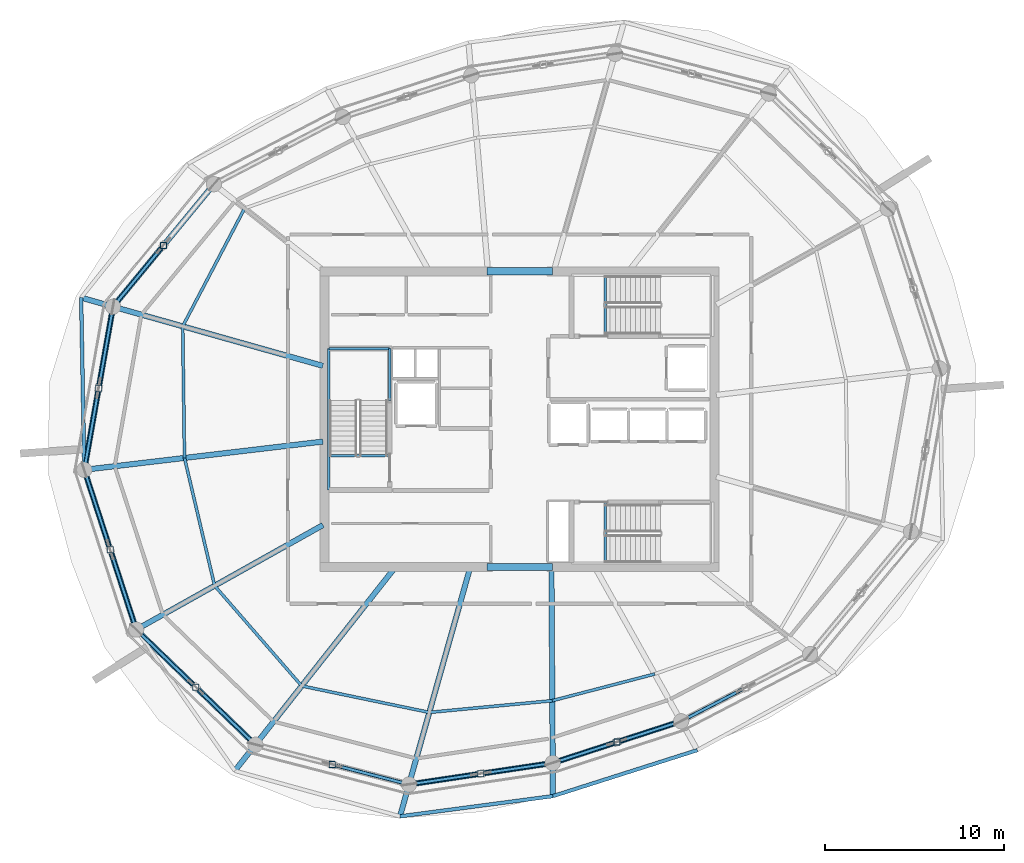
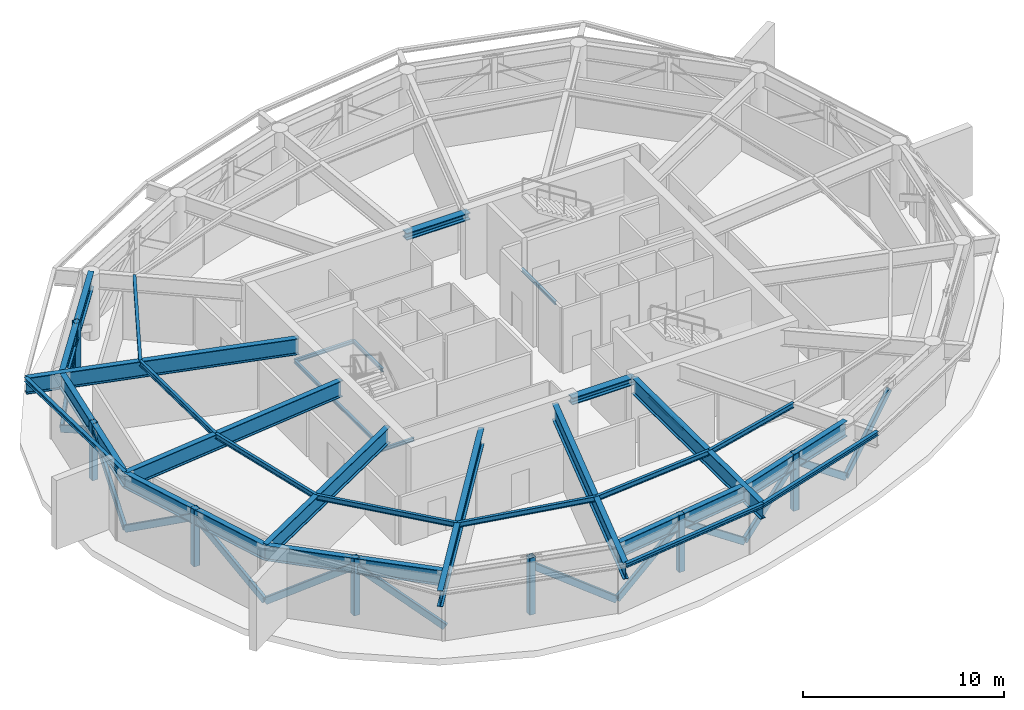
# One storey, part 5 of 14: 30 beams, 20 members.
"""IFC4 building model written with IfcOpenShell, lengths in metres."""

from ifc_helpers import new_model, si_unit, direction, frame, origin, origin_2d, place, context, subcontext, project, spatial, hollow_rectangle, i_section, extrude, material, material_profile, profile_set, type_object, element, save


model = new_model("IFC4")

# Units and contexts
model_context = context("Model", 3, precision=1e-05, world=origin(), true_north=direction((0.0, 1.0)))
body_context = subcontext(model_context, "Body", "Model", "MODEL_VIEW")
ifc_project = project(units=[si_unit("LENGTHUNIT", "METRE"), si_unit("AREAUNIT", "SQUARE_METRE"), si_unit("VOLUMEUNIT", "CUBIC_METRE"), si_unit("PLANEANGLEUNIT", "RADIAN"), si_unit("MASSUNIT", "GRAM", prefix="KILO")], contexts=[model_context])

# Site, building, storey
site_placement = place(None, origin())
site = spatial("IfcSite", under=ifc_project, at=site_placement, CompositionType="ELEMENT")
building_placement = place(site_placement, origin())
building = spatial("IfcBuilding", under=site, at=building_placement, Name="Kazma Halo Residences", CompositionType="ELEMENT")
storey_placement = place(building_placement, frame((0.0, 0.0, 343.10009765625)))
storey = spatial("IfcBuildingStorey", under=building, at=storey_placement, Name="L86", CompositionType="ELEMENT", Elevation=343.10009765625)

# Beams
ifc_material = material(Name="Steel S355", Category="steel")
ifc_material_profile_1 = material_profile(ifc_material, i_section(OverallWidth=0.201904296875, OverallDepth=0.2470703125, WebThickness=0.00732421875, FlangeThickness=0.010986328125, FilletRadius=0.011962890625, at=origin_2d()), Name="W250x49.1")
ifc_profile_set_1 = profile_set([ifc_material_profile_1], Name="Steel S355")
beam_type_1 = type_object("IfcBeamType", Name="BM-BAL-CANT", PredefinedType="BEAM", material=ifc_profile_set_1)
beam_1_placement = place(storey_placement, frame((23.9638671875, 48.77880859375, 3.81640625), z_axis=(0.018301708623, -0.999832509704, 0.0), x_axis=(0.999832509704, 0.018301708623, 0.0)))
element("IfcBeam", 1, at=beam_1_placement, inside=storey, type_object=beam_type_1, Name="L86 wave-balcony tie beam 07", PredefinedType="BEAM", context=body_context, shape_type="SweptSolid", body=[
    extrude(i_section(OverallWidth=0.201904296875, OverallDepth=0.2470703125, WebThickness=0.00732421875, FlangeThickness=0.010986328125, FilletRadius=0.011962890625, at=origin_2d()), origin(), (0.0, 0.0, 1.0), 9.604736328125),
])
beam_2_placement = place(storey_placement, frame((41.751220703125, 19.843017578125, 3.81640625), z_axis=(0.991375702229, 0.13105043697, 0.0), x_axis=(-0.13105043697, 0.991375702229, 0.0)))
element("IfcBeam", 2, at=beam_2_placement, inside=storey, type_object=beam_type_1, Name="L86 wave-balcony tie beam 11", PredefinedType="BEAM", context=body_context, shape_type="SweptSolid", body=[
    extrude(i_section(OverallWidth=0.201904296875, OverallDepth=0.2470703125, WebThickness=0.00732421875, FlangeThickness=0.010986328125, FilletRadius=0.011962890625, at=origin_2d()), origin(), (0.0, 0.0, 1.0), 8.60498046875),
])
beam_3_placement = place(storey_placement, frame((50.281982421875, 20.970703125, 3.81640625), z_axis=(0.952916301187, 0.303233446262, 0.0), x_axis=(-0.303233446262, 0.952916301187, 0.0)))
element("IfcBeam", 3, at=beam_3_placement, inside=storey, type_object=beam_type_1, Name="L86 wave-balcony tie beam 12", PredefinedType="BEAM", context=body_context, shape_type="SweptSolid", body=[
    extrude(i_section(OverallWidth=0.201904296875, OverallDepth=0.2470703125, WebThickness=0.00732421875, FlangeThickness=0.010986328125, FilletRadius=0.011962890625, at=origin_2d()), origin(), (0.0, 0.0, 1.0), 8.45703125),
])
ifc_material_profile_2 = material_profile(ifc_material, i_section(OverallWidth=0.30908203125, OverallDepth=0.931884765625, WebThickness=0.02099609375, FlangeThickness=0.034423828125, FilletRadius=0.02392578125, at=origin_2d()), Name="W920x313")
ifc_profile_set_2 = profile_set([ifc_material_profile_2], Name="Steel S355")
beam_type_2 = type_object("IfcBeamType", Name="BM-BELT-W920A", PredefinedType="BEAM", material=ifc_profile_set_2)
beam_4_placement = place(storey_placement, frame((31.373779296875, 55.10693359375, 3.473876953125), z_axis=(-0.636004986424, -0.771684946881, 0.0), x_axis=(0.771684946881, -0.636004986424, 0.0)))
element("IfcBeam", 4, at=beam_4_placement, inside=storey, type_object=beam_type_2, Name="L86 perimeter ring beam 06", PredefinedType="BEAM", context=body_context, shape_type="SweptSolid", body=[
    extrude(i_section(OverallWidth=0.30908203125, OverallDepth=0.931884765625, WebThickness=0.02099609375, FlangeThickness=0.034423828125, FilletRadius=0.02392578125, at=origin_2d()), origin(), (0.0, 0.0, 1.0), 8.85107421875),
])
beam_5_placement = place(storey_placement, frame((25.744384765625, 48.276611328125, 3.473876953125), z_axis=(-0.173649692956, -0.984807485825, 0.0), x_axis=(0.984807485825, -0.173649692956, 0.0)))
element("IfcBeam", 5, at=beam_5_placement, inside=storey, type_object=beam_type_2, Name="L86 perimeter ring beam 07", PredefinedType="BEAM", context=body_context, shape_type="SweptSolid", body=[
    extrude(i_section(OverallWidth=0.30908203125, OverallDepth=0.931884765625, WebThickness=0.02099609375, FlangeThickness=0.034423828125, FilletRadius=0.02392578125, at=origin_2d()), origin(), (0.0, 0.0, 1.0), 9.2412109375),
])
beam_6_placement = place(storey_placement, frame((24.1396484375, 39.17578125, 3.473876953125), z_axis=(0.309023062674, -0.951054544564, 0.0), x_axis=(0.951054544564, 0.309023062674, 0.0)))
element("IfcBeam", 6, at=beam_6_placement, inside=storey, type_object=beam_type_2, Name="L86 perimeter ring beam 08", PredefinedType="BEAM", context=body_context, shape_type="SweptSolid", body=[
    extrude(i_section(OverallWidth=0.30908203125, OverallDepth=0.931884765625, WebThickness=0.02099609375, FlangeThickness=0.034423828125, FilletRadius=0.02392578125, at=origin_2d()), origin(), (0.0, 0.0, 1.0), 9.37451171875),
])
beam_7_placement = place(storey_placement, frame((27.03662109375, 30.260009765625, 3.473876953125), z_axis=(0.71933681628, -0.694661460529, 0.0), x_axis=(0.694661460529, 0.71933681628, 0.0)))
element("IfcBeam", 7, at=beam_7_placement, inside=storey, type_object=beam_type_2, Name="L86 perimeter ring beam 09", PredefinedType="BEAM", context=body_context, shape_type="SweptSolid", body=[
    extrude(i_section(OverallWidth=0.30908203125, OverallDepth=0.931884765625, WebThickness=0.02099609375, FlangeThickness=0.034423828125, FilletRadius=0.02392578125, at=origin_2d()), origin(), (0.0, 0.0, 1.0), 9.2412109375),
])
beam_8_placement = place(storey_placement, frame((42.25341796875, 21.62353515625, 3.473876953125), z_axis=(0.989030710595, 0.147710031817, 0.0), x_axis=(-0.147710031817, 0.989030710595, 0.0)))
element("IfcBeam", 8, at=beam_8_placement, inside=storey, type_object=beam_type_2, Name="L86 perimeter ring beam 11", PredefinedType="BEAM", context=body_context, shape_type="SweptSolid", body=[
    extrude(i_section(OverallWidth=0.30908203125, OverallDepth=0.931884765625, WebThickness=0.02099609375, FlangeThickness=0.034423828125, FilletRadius=0.02392578125, at=origin_2d()), origin(), (0.0, 0.0, 1.0), 8.10546875),
])
beam_9_placement = place(storey_placement, frame((50.27001953125, 22.82080078125, 3.473876953125), z_axis=(0.951056684666, 0.309016476183, 0.0), x_axis=(-0.309016476183, 0.951056684666, 0.0)))
element("IfcBeam", 9, at=beam_9_placement, inside=storey, type_object=beam_type_2, Name="L86 perimeter ring beam 12", PredefinedType="BEAM", context=body_context, shape_type="SweptSolid", body=[
    extrude(i_section(OverallWidth=0.30908203125, OverallDepth=0.931884765625, WebThickness=0.02099609375, FlangeThickness=0.034423828125, FilletRadius=0.02392578125, at=origin_2d()), origin(), (0.0, 0.0, 1.0), 7.53564453125),
])
ifc_material_profile_3 = material_profile(ifc_material, i_section(OverallWidth=0.408935546875, OverallDepth=0.425048828125, WebThickness=0.03271484375, FlangeThickness=0.052490234375, FilletRadius=0.02001953125, at=origin_2d()), Name="W360x421")
ifc_profile_set_3 = profile_set([ifc_material_profile_3], Name="Steel S355")
beam_type_3 = type_object("IfcBeamType", Name="BM-CORE-W360H", PredefinedType="BEAM", material=ifc_profile_set_3)
for number, where, z_axis, x_axis, name in (
    (10, (46.60009765625, 33.75, 3.727294921875), (1.0, 0.0, 0.0), (0.0, 1.0, 0.0), "L86 core coupling beam S"),
    (11, (46.60009765625, 50.25, 3.727294921875), (1.0, 0.0, 0.0), (0.0, 1.0, 0.0), "L86 core coupling beam N"),
):
    element("IfcBeam", number, at=place(storey_placement, frame(where, z_axis=z_axis, x_axis=x_axis)), inside=storey, type_object=beam_type_3, Name=name, PredefinedType="BEAM", context=body_context, shape_type="SweptSolid", body=[
        extrude(i_section(OverallWidth=0.408935546875, OverallDepth=0.425048828125, WebThickness=0.03271484375, FlangeThickness=0.052490234375, FilletRadius=0.02001953125, at=origin_2d()), origin(), (0.0, 0.0, 1.0), 3.64990234375),
    ])
ifc_material_profile_4 = material_profile(ifc_material, i_section(OverallWidth=0.300048828125, OverallDepth=0.98193359375, WebThickness=0.0166015625, FlangeThickness=0.032958984375, FilletRadius=0.02587890625, at=origin_2d()), Name="W1000x296")
ifc_profile_set_4 = profile_set([ifc_material_profile_4], Name="Steel S355")
beam_type_4 = type_object("IfcBeamType", Name="BM-OUTR-W1000C", PredefinedType="BEAM", material=ifc_profile_set_4)
beam_10_placement = place(storey_placement, frame((37.449951171875, 44.975341796875, 3.448974609375), z_axis=(-0.962455278458, 0.27144030093, 0.0), x_axis=(-0.27144030093, -0.962455278458, 0.0)))
element("IfcBeam", 12, at=beam_10_placement, inside=storey, type_object=beam_type_4, Name="L86 radial floor beam 07", PredefinedType="BEAM", context=body_context, shape_type="SweptSolid", body=[
    extrude(i_section(OverallWidth=0.300048828125, OverallDepth=0.98193359375, WebThickness=0.0166015625, FlangeThickness=0.032958984375, FilletRadius=0.02587890625, at=origin_2d()), origin(), (0.0, 0.0, 1.0), 14.01220703125),
])
beam_11_placement = place(storey_placement, frame((37.449951171875, 40.751220703125, 3.448974609375), z_axis=(-0.993067923032, -0.11754190846, 0.0), x_axis=(0.11754190846, -0.993067923032, 0.0)))
element("IfcBeam", 13, at=beam_11_placement, inside=storey, type_object=beam_type_4, Name="L86 radial floor beam 08", PredefinedType="BEAM", context=body_context, shape_type="SweptSolid", body=[
    extrude(i_section(OverallWidth=0.300048828125, OverallDepth=0.98193359375, WebThickness=0.0166015625, FlangeThickness=0.032958984375, FilletRadius=0.02587890625, at=origin_2d()), origin(), (0.0, 0.0, 1.0), 13.4033203125),
])
beam_12_placement = place(storey_placement, frame((37.449951171875, 36.091796875, 3.448974609375), z_axis=(-0.872494504737, -0.4886239241, 0.0), x_axis=(0.4886239241, -0.872494504737, 0.0)))
element("IfcBeam", 14, at=beam_12_placement, inside=storey, type_object=beam_type_4, Name="L86 radial floor beam 09", PredefinedType="BEAM", context=body_context, shape_type="SweptSolid", body=[
    extrude(i_section(OverallWidth=0.300048828125, OverallDepth=0.98193359375, WebThickness=0.0166015625, FlangeThickness=0.032958984375, FilletRadius=0.02587890625, at=origin_2d()), origin(), (0.0, 0.0, 1.0), 11.93505859375),
])
beam_13_placement = place(storey_placement, frame((41.41748046875, 33.64990234375, 3.448974609375), z_axis=(-0.61910487104, -0.78530832076, 0.0), x_axis=(0.78530832076, -0.61910487104, 0.0)))
element("IfcBeam", 15, at=beam_13_placement, inside=storey, type_object=beam_type_4, Name="L86 radial floor beam 10", PredefinedType="BEAM", context=body_context, shape_type="SweptSolid", body=[
    extrude(i_section(OverallWidth=0.300048828125, OverallDepth=0.98193359375, WebThickness=0.0166015625, FlangeThickness=0.032958984375, FilletRadius=0.02587890625, at=origin_2d()), origin(), (0.0, 0.0, 1.0), 14.341064453125),
])
beam_14_placement = place(storey_placement, frame((45.64501953125, 33.64990234375, 3.448974609375), z_axis=(-0.271431061075, -0.962457884317, 0.0), x_axis=(0.962457884317, -0.271431061075, 0.0)))
element("IfcBeam", 16, at=beam_14_placement, inside=storey, type_object=beam_type_4, Name="L86 radial floor beam 11", PredefinedType="BEAM", context=body_context, shape_type="SweptSolid", body=[
    extrude(i_section(OverallWidth=0.300048828125, OverallDepth=0.98193359375, WebThickness=0.0166015625, FlangeThickness=0.032958984375, FilletRadius=0.02587890625, at=origin_2d()), origin(), (0.0, 0.0, 1.0), 14.345458984375),
])
beam_15_placement = place(storey_placement, frame((50.199951171875, 33.64990234375, 3.448974609375), z_axis=(0.006469614667, -0.999979071824, 0.0), x_axis=(0.999979071824, 0.006469614667, 0.0)))
element("IfcBeam", 17, at=beam_15_placement, inside=storey, type_object=beam_type_4, Name="L86 radial floor beam 12", PredefinedType="BEAM", context=body_context, shape_type="SweptSolid", body=[
    extrude(i_section(OverallWidth=0.300048828125, OverallDepth=0.98193359375, WebThickness=0.0166015625, FlangeThickness=0.032958984375, FilletRadius=0.02587890625, at=origin_2d()), origin(), (0.0, 0.0, 1.0), 12.679443359375),
])
ifc_material_profile_5 = material_profile(ifc_material, i_section(OverallWidth=0.1650390625, OverallDepth=0.31005859375, WebThickness=0.005859375, FlangeThickness=0.009765625, FilletRadius=0.011962890625, at=origin_2d()), Name="W310x38.7")
ifc_profile_set_5 = profile_set([ifc_material_profile_5], Name="Steel S355")
beam_type_5 = type_object("IfcBeamType", Name="BM-SEC-W310B", PredefinedType="JOIST", material=ifc_profile_set_5)
beam_16_placement = place(storey_placement, frame((33.083251953125, 53.759521484375, 3.784912109375), z_axis=(-0.464998741676, -0.885311340851, 0.0), x_axis=(0.885311340851, -0.464998741676, 0.0)))
element("IfcBeam", 18, at=beam_16_placement, inside=storey, type_object=beam_type_5, Name="L86 circumferential floor joist 06", PredefinedType="JOIST", context=body_context, shape_type="SweptSolid", body=[
    extrude(i_section(OverallWidth=0.1650390625, OverallDepth=0.31005859375, WebThickness=0.005859375, FlangeThickness=0.009765625, FilletRadius=0.011962890625, at=origin_2d()), origin(), (0.0, 0.0, 1.0), 7.43017578125),
])
beam_17_placement = place(storey_placement, frame((29.628173828125, 47.181396484375, 3.784912109375), z_axis=(0.013861699983, -0.999903922021, 0.0), x_axis=(0.999903922021, 0.013861699983, 0.0)))
element("IfcBeam", 19, at=beam_17_placement, inside=storey, type_object=beam_type_5, Name="L86 circumferential floor joist 07", PredefinedType="JOIST", context=body_context, shape_type="SweptSolid", body=[
    extrude(i_section(OverallWidth=0.1650390625, OverallDepth=0.31005859375, WebThickness=0.005859375, FlangeThickness=0.009765625, FilletRadius=0.011962890625, at=origin_2d()), origin(), (0.0, 0.0, 1.0), 7.344482421875),
])
beam_18_placement = place(storey_placement, frame((29.72998046875, 39.837646484375, 3.784912109375), z_axis=(0.229446221817, -0.973321340203, 0.0), x_axis=(0.973321340203, 0.229446221817, 0.0)))
element("IfcBeam", 20, at=beam_18_placement, inside=storey, type_object=beam_type_5, Name="L86 circumferential floor joist 08", PredefinedType="JOIST", context=body_context, shape_type="SweptSolid", body=[
    extrude(i_section(OverallWidth=0.1650390625, OverallDepth=0.31005859375, WebThickness=0.005859375, FlangeThickness=0.009765625, FilletRadius=0.011962890625, at=origin_2d()), origin(), (0.0, 0.0, 1.0), 7.32373046875),
])
beam_19_placement = place(storey_placement, frame((31.410400390625, 32.709228515625, 3.784912109375), z_axis=(0.655826094878, -0.754912003664, 0.0), x_axis=(0.754912003664, 0.655826094878, 0.0)))
element("IfcBeam", 21, at=beam_19_placement, inside=storey, type_object=beam_type_5, Name="L86 circumferential floor joist 09", PredefinedType="JOIST", context=body_context, shape_type="SweptSolid", body=[
    extrude(i_section(OverallWidth=0.1650390625, OverallDepth=0.31005859375, WebThickness=0.005859375, FlangeThickness=0.009765625, FilletRadius=0.011962890625, at=origin_2d()), origin(), (0.0, 0.0, 1.0), 7.406494140625),
])
beam_20_placement = place(storey_placement, frame((36.267822265625, 27.117919921875, 3.784912109375), z_axis=(0.979179702308, -0.202995346221, 0.0), x_axis=(0.202995346221, 0.979179702308, 0.0)))
element("IfcBeam", 22, at=beam_20_placement, inside=storey, type_object=beam_type_5, Name="L86 circumferential floor joist 10", PredefinedType="JOIST", context=body_context, shape_type="SweptSolid", body=[
    extrude(i_section(OverallWidth=0.1650390625, OverallDepth=0.31005859375, WebThickness=0.005859375, FlangeThickness=0.009765625, FilletRadius=0.011962890625, at=origin_2d()), origin(), (0.0, 0.0, 1.0), 7.270263671875),
])
beam_21_placement = place(storey_placement, frame((43.38671875, 25.64208984375, 3.784912109375), z_axis=(0.99549005784, 0.094865930357, 0.0), x_axis=(-0.094865930357, 0.99549005784, 0.0)))
element("IfcBeam", 23, at=beam_21_placement, inside=storey, type_object=beam_type_5, Name="L86 circumferential floor joist 11", PredefinedType="JOIST", context=body_context, shape_type="SweptSolid", body=[
    extrude(i_section(OverallWidth=0.1650390625, OverallDepth=0.31005859375, WebThickness=0.005859375, FlangeThickness=0.009765625, FilletRadius=0.011962890625, at=origin_2d()), origin(), (0.0, 0.0, 1.0), 6.891845703125),
])
beam_22_placement = place(storey_placement, frame((50.24755859375, 26.2958984375, 3.784912109375), z_axis=(0.967744924062, 0.251932058206, 0.0), x_axis=(-0.251932058206, 0.967744924062, 0.0)))
element("IfcBeam", 24, at=beam_22_placement, inside=storey, type_object=beam_type_5, Name="L86 circumferential floor joist 12", PredefinedType="JOIST", context=body_context, shape_type="SweptSolid", body=[
    extrude(i_section(OverallWidth=0.1650390625, OverallDepth=0.31005859375, WebThickness=0.005859375, FlangeThickness=0.009765625, FilletRadius=0.011962890625, at=origin_2d()), origin(), (0.0, 0.0, 1.0), 5.904541015625),
])
ifc_material_profile_6 = material_profile(ifc_material, i_section(OverallWidth=0.133056640625, OverallDepth=0.20703125, WebThickness=0.005859375, FlangeThickness=0.00830078125, FilletRadius=0.010009765625, at=origin_2d()), Name="W200x26.6")
ifc_profile_set_6 = profile_set([ifc_material_profile_6], Name="Steel S355")
beam_type_6 = type_object("IfcBeamType", Name="BM-TRIM-W200", PredefinedType="BEAM", material=ifc_profile_set_6)
for number, where, z_axis, x_axis, name in (
    (25, (37.800048828125, 39.949951171875, -0.510009765625), (1.0, 0.0, 0.0), (0.0, 1.0, 0.0), "L86 ST-01 floor landing support beam"),
    (26, (53.199951171875, 46.6201171875, -0.510009765625), (0.0, 1.0, 0.0), (-1.0, 0.0, 0.0), "L86 ST-02 floor landing support beam"),
    (27, (53.199951171875, 34.0, -0.510009765625), (0.0, 1.0, 0.0), (-1.0, 0.0, 0.0), "L86 ST-03 floor landing support beam"),
):
    element("IfcBeam", number, at=place(storey_placement, frame(where, z_axis=z_axis, x_axis=x_axis)), inside=storey, type_object=beam_type_6, Name=name, PredefinedType="BEAM", context=body_context, shape_type="SweptSolid", body=[
        extrude(i_section(OverallWidth=0.133056640625, OverallDepth=0.20703125, WebThickness=0.005859375, FlangeThickness=0.00830078125, FilletRadius=0.010009765625, at=origin_2d()), origin(), (0.0, 0.0, 1.0), 3.3798828125),
    ])
beam_23_placement = place(storey_placement, frame((37.780029296875, 38.06005859375, 1.794921875), z_axis=(0.0, 1.0, 0.0), x_axis=(-1.0, 0.0, 0.0)))
element("IfcBeam", 28, at=beam_23_placement, inside=storey, type_object=beam_type_6, Name="L86 ST-01 landing west wall ledger", PredefinedType="BEAM", context=body_context, shape_type="SweptSolid", body=[
    extrude(i_section(OverallWidth=0.133056640625, OverallDepth=0.20703125, WebThickness=0.005859375, FlangeThickness=0.00830078125, FilletRadius=0.010009765625, at=origin_2d()), origin(), (0.0, 0.0, 1.0), 7.8798828125),
])
beam_24_placement = place(storey_placement, frame((41.179931640625, 43.030029296875, 1.794921875), z_axis=(0.0, 1.0, 0.0), x_axis=(-1.0, 0.0, 0.0)))
element("IfcBeam", 29, at=beam_24_placement, inside=storey, type_object=beam_type_6, Name="L86 ST-01 landing east wall ledger", PredefinedType="BEAM", context=body_context, shape_type="SweptSolid", body=[
    extrude(i_section(OverallWidth=0.133056640625, OverallDepth=0.20703125, WebThickness=0.005859375, FlangeThickness=0.00830078125, FilletRadius=0.010009765625, at=origin_2d()), origin(), (0.0, 0.0, 1.0), 2.909912109375),
])
beam_25_placement = place(storey_placement, frame((37.780029296875, 45.93994140625, 1.794921875), z_axis=(1.0, 0.0, 0.0), x_axis=(0.0, 1.0, 0.0)))
element("IfcBeam", 30, at=beam_25_placement, inside=storey, type_object=beam_type_6, Name="L86 ST-01 landing end wall ledger", PredefinedType="BEAM", context=body_context, shape_type="SweptSolid", body=[
    extrude(i_section(OverallWidth=0.133056640625, OverallDepth=0.20703125, WebThickness=0.005859375, FlangeThickness=0.00830078125, FilletRadius=0.010009765625, at=origin_2d()), origin(), (0.0, 0.0, 1.0), 3.39990234375),
])

# Members
ifc_material_profile_7 = material_profile(ifc_material, hollow_rectangle(XDim=0.199951171875, YDim=0.39990234375, WallThickness=0.01611328125, InnerFilletRadius=0.01611328125, OuterFilletRadius=0.031982421875, at=origin_2d()), Name="RHS400x200x16")
ifc_profile_set_7 = profile_set([ifc_material_profile_7], Name="Steel S355")
member_type_1 = type_object("IfcMemberType", Name="MBR-BELT-RHS400", PredefinedType="BRACE", material=ifc_profile_set_7)
member_1_placement = place(storey_placement, frame((25.744384765625, 48.276611328125, 0.47998046875), z_axis=(0.529757053744, 0.642793947855, 0.553329381662), x_axis=(-0.771696103846, 0.635991449084, 0.0)))
element("IfcMember", 31, at=member_1_placement, inside=storey, type_object=member_type_1, Name="L86 belt-truss chevron diagonal 06B", PredefinedType="BRACE", context=body_context, shape_type="SweptSolid", body=[
    extrude(hollow_rectangle(XDim=0.199951171875, YDim=0.39990234375, WallThickness=0.01611328125, InnerFilletRadius=0.01611328125, OuterFilletRadius=0.031982421875, at=origin_2d()), origin(), (0.0, 0.0, 1.0), 5.313232421875),
])
member_2_placement = place(storey_placement, frame((25.744384765625, 48.276611328125, 0.47998046875), z_axis=(-0.146488910827, -0.830876542906, 0.536828808331), x_axis=(0.98481120697, -0.173628588159, 0.0)))
element("IfcMember", 32, at=member_2_placement, inside=storey, type_object=member_type_1, Name="L86 belt-truss chevron diagonal 07A", PredefinedType="BRACE", context=body_context, shape_type="SweptSolid", body=[
    extrude(hollow_rectangle(XDim=0.199951171875, YDim=0.39990234375, WallThickness=0.01611328125, InnerFilletRadius=0.01611328125, OuterFilletRadius=0.031982421875, at=origin_2d()), origin(), (0.0, 0.0, 1.0), 5.4765625),
])
member_3_placement = place(storey_placement, frame((24.1396484375, 39.17578125, 0.47998046875), z_axis=(0.146527106096, 0.830884919541, 0.536805418805), x_axis=(-0.984803764455, 0.173670796382, 0.0)))
element("IfcMember", 33, at=member_3_placement, inside=storey, type_object=member_type_1, Name="L86 belt-truss chevron diagonal 07B", PredefinedType="BRACE", context=body_context, shape_type="SweptSolid", body=[
    extrude(hollow_rectangle(XDim=0.199951171875, YDim=0.39990234375, WallThickness=0.01611328125, InnerFilletRadius=0.01611328125, OuterFilletRadius=0.031982421875, at=origin_2d()), origin(), (0.0, 0.0, 1.0), 5.476806640625),
])
member_4_placement = place(storey_placement, frame((24.1396484375, 39.17578125, 0.47998046875), z_axis=(0.261794957236, -0.805682475, 0.531355953993), x_axis=(0.951052057514, 0.309030716755, 0.0)))
element("IfcMember", 34, at=member_4_placement, inside=storey, type_object=member_type_1, Name="L86 belt-truss chevron diagonal 08A", PredefinedType="BRACE", context=body_context, shape_type="SweptSolid", body=[
    extrude(hollow_rectangle(XDim=0.199951171875, YDim=0.39990234375, WallThickness=0.01611328125, InnerFilletRadius=0.01611328125, OuterFilletRadius=0.031982421875, at=origin_2d()), origin(), (0.0, 0.0, 1.0), 5.532958984375),
])
member_5_placement = place(storey_placement, frame((27.03662109375, 30.260009765625, 0.47998046875), z_axis=(-0.261785650426, 0.805697956646, 0.53133706429), x_axis=(-0.951057031429, -0.309015408952, 0.0)))
element("IfcMember", 35, at=member_5_placement, inside=storey, type_object=member_type_1, Name="L86 belt-truss chevron diagonal 08B", PredefinedType="BRACE", context=body_context, shape_type="SweptSolid", body=[
    extrude(hollow_rectangle(XDim=0.199951171875, YDim=0.39990234375, WallThickness=0.01611328125, InnerFilletRadius=0.01611328125, OuterFilletRadius=0.031982421875, at=origin_2d()), origin(), (0.0, 0.0, 1.0), 5.533203125),
])
member_6_placement = place(storey_placement, frame((27.03662109375, 30.260009765625, 0.47998046875), z_axis=(0.60692916794, -0.586066674323, 0.536808008838), x_axis=(0.69463505814, 0.719362312054, 0.0)))
element("IfcMember", 36, at=member_6_placement, inside=storey, type_object=member_type_1, Name="L86 belt-truss chevron diagonal 09A", PredefinedType="BRACE", context=body_context, shape_type="SweptSolid", body=[
    extrude(hollow_rectangle(XDim=0.199951171875, YDim=0.39990234375, WallThickness=0.01611328125, InnerFilletRadius=0.01611328125, OuterFilletRadius=0.031982421875, at=origin_2d()), origin(), (0.0, 0.0, 1.0), 5.476806640625),
])
member_7_placement = place(storey_placement, frame((33.68408203125, 23.840576171875, 0.47998046875), z_axis=(-0.60687284917, 0.586098387426, 0.536837056468), x_axis=(-0.694687863989, -0.719311317599, 0.0)))
element("IfcMember", 37, at=member_7_placement, inside=storey, type_object=member_type_1, Name="L86 belt-truss chevron diagonal 09B", PredefinedType="BRACE", context=body_context, shape_type="SweptSolid", body=[
    extrude(hollow_rectangle(XDim=0.199951171875, YDim=0.39990234375, WallThickness=0.01611328125, InnerFilletRadius=0.01611328125, OuterFilletRadius=0.031982421875, at=origin_2d()), origin(), (0.0, 0.0, 1.0), 5.476318359375),
])
member_8_placement = place(storey_placement, frame((42.25341796875, 21.62353515625, 0.47998046875), z_axis=(-0.806410490962, 0.208655842704, 0.553321659952), x_axis=(-0.250496928049, -0.968117394244, 0.0)))
element("IfcMember", 38, at=member_8_placement, inside=storey, type_object=member_type_1, Name="L86 belt-truss chevron diagonal 10B", PredefinedType="BRACE", context=body_context, shape_type="SweptSolid", body=[
    extrude(hollow_rectangle(XDim=0.199951171875, YDim=0.39990234375, WallThickness=0.01611328125, InnerFilletRadius=0.01611328125, OuterFilletRadius=0.031982421875, at=origin_2d()), origin(), (0.0, 0.0, 1.0), 5.313232421875),
])
for number, where, z_axis, x_axis, name in (
    (39, (42.25341796875, 21.62353515625, 0.47998046875), (0.800570650567, 0.119563846704, 0.587189168847), (-0.147710031817, 0.989030710595, 0.0), "L86 belt-truss chevron diagonal 11A"),
    (40, (50.27001953125, 22.82080078125, 0.47998046875), (-0.800570650567, -0.119563846704, 0.587189168847), (0.147710031817, -0.989030710595, 0.0), "L86 belt-truss chevron diagonal 11B"),
):
    element("IfcMember", number, at=place(storey_placement, frame(where, z_axis=z_axis, x_axis=x_axis)), inside=storey, type_object=member_type_1, Name=name, PredefinedType="BRACE", context=body_context, shape_type="SweptSolid", body=[
        extrude(hollow_rectangle(XDim=0.199951171875, YDim=0.39990234375, WallThickness=0.01611328125, InnerFilletRadius=0.01611328125, OuterFilletRadius=0.031982421875, at=origin_2d()), origin(), (0.0, 0.0, 1.0), 5.0068359375),
    ])
for number, where, z_axis, x_axis, name in (
    (41, (50.27001953125, 22.82080078125, 0.47998046875), (0.749818137427, 0.243621930603, 0.615159423007), (-0.309006954807, 0.95105977829, 0.0), "L86 belt-truss chevron diagonal 12A"),
    (42, (57.436767578125, 25.1494140625, 0.47998046875), (-0.749795772744, -0.243631262534, 0.615182986672), (0.309025998114, -0.951053590756, 0.0), "L86 belt-truss chevron diagonal 12B"),
):
    element("IfcMember", number, at=place(storey_placement, frame(where, z_axis=z_axis, x_axis=x_axis)), inside=storey, type_object=member_type_1, Name=name, PredefinedType="BRACE", context=body_context, shape_type="SweptSolid", body=[
        extrude(hollow_rectangle(XDim=0.199951171875, YDim=0.39990234375, WallThickness=0.01611328125, InnerFilletRadius=0.01611328125, OuterFilletRadius=0.031982421875, at=origin_2d()), origin(), (0.0, 0.0, 1.0), 4.779052734375),
    ])
member_9_placement = place(storey_placement, frame((57.436767578125, 25.1494140625, 0.47998046875), z_axis=(0.717967620495, 0.373807374268, 0.587188677398), x_axis=(-0.461804101744, 0.886981945483, 0.0)))
element("IfcMember", 43, at=member_9_placement, inside=storey, type_object=member_type_1, Name="L86 belt-truss chevron diagonal 13A", PredefinedType="BRACE", context=body_context, shape_type="SweptSolid", body=[
    extrude(hollow_rectangle(XDim=0.199951171875, YDim=0.39990234375, WallThickness=0.01611328125, InnerFilletRadius=0.01611328125, OuterFilletRadius=0.031982421875, at=origin_2d()), origin(), (0.0, 0.0, 1.0), 5.0068359375),
])
ifc_material_profile_8 = material_profile(ifc_material, hollow_rectangle(XDim=0.35009765625, YDim=0.35009765625, WallThickness=0.01611328125, InnerFilletRadius=0.01611328125, OuterFilletRadius=0.031982421875, at=origin_2d()), Name="SHS350x350x16")
ifc_profile_set_8 = profile_set([ifc_material_profile_8], Name="Steel S355")
member_type_2 = type_object("IfcMemberType", Name="MBR-POST-SHS350", PredefinedType="STRUT", material=ifc_profile_set_8)
for number, where, z_axis, x_axis, name in (
    (44, (28.55908203125, 51.69189453125, 0.47998046875), (0.0, 0.0, 1.0), (1.0, 0.0, 0.0), "L86 belt-truss web post 06"),
    (45, (24.942138671875, 43.726318359375, 0.47998046875), (0.0, 0.0, 1.0), (1.0, 0.0, 0.0), "L86 belt-truss web post 07"),
    (46, (25.588134765625, 34.718017578125, 0.47998046875), (0.0, 0.0, 1.0), (1.0, 0.0, 0.0), "L86 belt-truss web post 08"),
    (47, (30.360595703125, 27.05029296875, 0.47998046875), (0.0, 0.0, 1.0), (1.0, 0.0, 0.0), "L86 belt-truss web post 09"),
    (48, (37.96875, 22.732177734375, 0.47998046875), (0.0, 0.0, 1.0), (1.0, 0.0, 0.0), "L86 belt-truss web post 10"),
    (49, (46.26171875, 22.22216796875, 0.47998046875), (0.0, 0.0, 1.0), (1.0, 0.0, 0.0), "L86 belt-truss web post 11"),
    (50, (53.853515625, 23.985107421875, 0.47998046875), (0.0, 0.0, 1.0), (1.0, 0.0, 0.0), "L86 belt-truss web post 12"),
):
    element("IfcMember", number, at=place(storey_placement, frame(where, z_axis=z_axis, x_axis=x_axis)), inside=storey, type_object=member_type_2, Name=name, PredefinedType="STRUT", context=body_context, shape_type="SweptSolid", body=[
        extrude(hollow_rectangle(XDim=0.35009765625, YDim=0.35009765625, WallThickness=0.01611328125, InnerFilletRadius=0.01611328125, OuterFilletRadius=0.031982421875, at=origin_2d()), origin(), (0.0, 0.0, 1.0), 3.4599609375),
    ])

save(model, "model.ifc")
